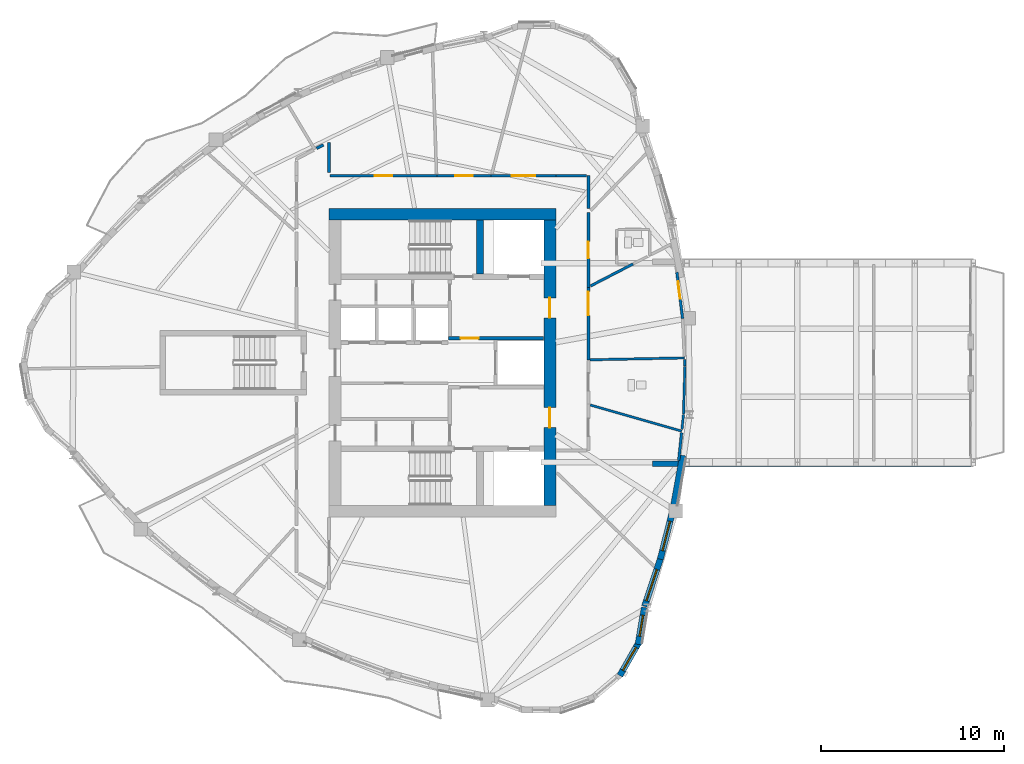
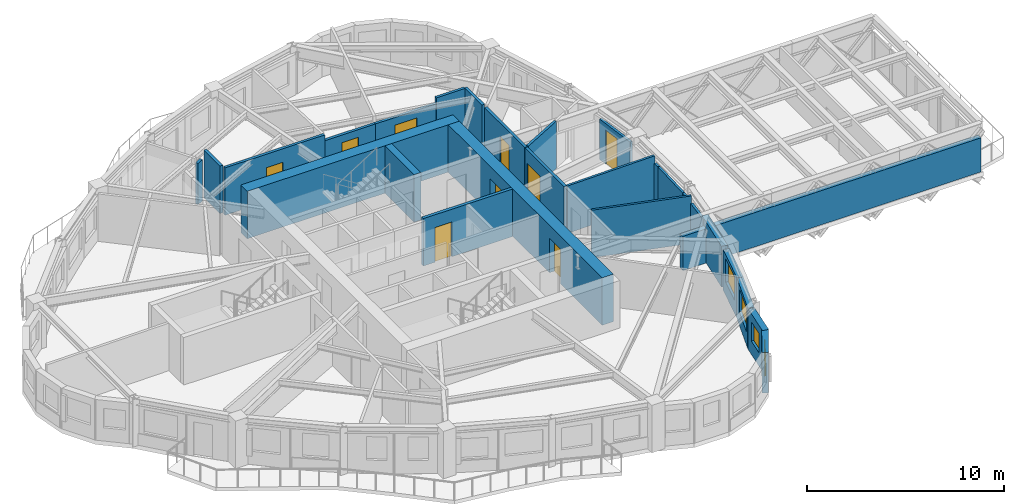
# One storey, part 7 of 13: 27 walls, 9 doors, 4 windows, 13 openings.
"""IFC4 building model written with IfcOpenShell, lengths in metres."""

import ifcopenshell
import ifcopenshell.guid

model = None  # the IFC model being written
_history = None  # IfcOwnerHistory: only IFC2X3 demands one
_inside = {}  # id of a spatial element -> (the spatial element, [elements in it])
_under = {}  # id of a project, library or spatial element -> (it, [spatial elements below it])
_declared = {}  # id of a project -> (the project, [libraries it declares])
_typed = {}  # id of a type object -> (the type object, [elements of that type])
_made_of = {}  # id of a material, layer set ... -> (it, [elements and type objects made of it])


def new_model(schema):
    """Start an empty IFC model of exactly this schema.

    Asked for "IFC4X3", IfcOpenShell would pick the latest addendum, in which some entities
    have other attributes; the version numbers below select the first issue.
    IFC2X3 requires an IfcOwnerHistory on every rooted entity: one is made here for all.
    """
    global model, _history
    if schema == "IFC4X3":
        model = ifcopenshell.file(schema_version=(4, 3, 0, 0))
    else:
        model = ifcopenshell.file(schema=schema)
    _inside.clear()
    _under.clear()
    _declared.clear()
    _typed.clear()
    _made_of.clear()
    _history = None
    if model.schema == "IFC2X3":
        org = make("IfcOrganization", Name="unknown")
        user = make(
            "IfcPersonAndOrganization",
            ThePerson=make("IfcPerson", FamilyName="unknown"),
            TheOrganization=org,
        )
        app = make(
            "IfcApplication",
            ApplicationDeveloper=org,
            Version="unknown",
            ApplicationFullName="unknown",
            ApplicationIdentifier="unknown",
        )
        _history = make(
            "IfcOwnerHistory",
            OwningUser=user,
            OwningApplication=app,
            ChangeAction="ADDED",
            CreationDate=0,
        )
    return model


def make(cls, **values):
    """One entity of the class cls with the attributes given. An attribute that is None is left unset."""
    return model.create_entity(
        cls, **{name: value for name, value in values.items() if value is not None}
    )


def rooted(cls, **values):
    """An entity with a GlobalId (a new one), such as an element, a storey or a relation."""
    return make(cls, GlobalId=ifcopenshell.guid.new(), OwnerHistory=_history, **values)


def si_unit(unit_type, name, prefix=None):
    """IfcSIUnit, for example si_unit("LENGTHUNIT", "METRE", prefix="MILLI")."""
    return make("IfcSIUnit", UnitType=unit_type, Prefix=prefix, Name=name)


def assignment(units):
    """IfcUnitAssignment: the units of a project."""
    return None if units is None else make("IfcUnitAssignment", Units=units)


def point(xyz):
    """IfcCartesianPoint."""
    return None if xyz is None else make("IfcCartesianPoint", Coordinates=xyz)


def direction(xyz):
    """IfcDirection."""
    return None if xyz is None else make("IfcDirection", DirectionRatios=xyz)


def frame(location, z_axis=None, x_axis=None):
    """IfcAxis2Placement3D, a coordinate frame: its origin and axes. An axis left out is left unset."""
    return make(
        "IfcAxis2Placement3D",
        Location=point(location),
        Axis=direction(z_axis),
        RefDirection=direction(x_axis),
    )


def frame_2d(location, x_axis=None):
    """IfcAxis2Placement2D, a coordinate frame in the plane: its origin and x axis."""
    return make(
        "IfcAxis2Placement2D", Location=point(location), RefDirection=direction(x_axis)
    )


def origin():
    """The frame at (0, 0, 0) with its axes left unset."""
    return frame((0.0, 0.0, 0.0))


def place(relative_to, where):
    """IfcLocalPlacement: puts the frame where relative to a parent placement (None: the world)."""
    return make(
        "IfcLocalPlacement", PlacementRelTo=relative_to, RelativePlacement=where
    )


def context(
    kind, dimensions, precision=None, world=None, true_north=None, identifier=None
):
    """IfcGeometricRepresentationContext, for example the 3D "Model" context."""
    return make(
        "IfcGeometricRepresentationContext",
        ContextIdentifier=identifier,
        ContextType=kind,
        CoordinateSpaceDimension=dimensions,
        Precision=precision,
        WorldCoordinateSystem=world,
        TrueNorth=true_north,
    )


def subcontext(parent, identifier, kind, view, scale=None):
    """IfcGeometricRepresentationSubContext, for example "Body" below "Model"."""
    return make(
        "IfcGeometricRepresentationSubContext",
        ContextIdentifier=identifier,
        ContextType=kind,
        ParentContext=parent,
        TargetScale=scale,
        TargetView=view,
    )


def project(units=None, contexts=None):
    """IfcProject with its units and contexts."""
    return rooted(
        "IfcProject",
        Name="project",
        RepresentationContexts=contexts,
        UnitsInContext=assignment(units),
    )


def spatial(cls, under=None, at=None, **own):
    """A site, building, storey or space (cls), placed at a placement, below another one or the project."""
    s = rooted(cls, ObjectPlacement=at, **own)
    if under is not None:
        _under.setdefault(under.id(), (under, []))[1].append(s)
    return s


def profile(cls, at=None, kind="AREA", **sizes):
    """A parametric profile (cls). Its sizes go by their IFC names, for example OverallWidth=200.0."""
    return make(cls, ProfileType=kind, Position=at, **sizes)


def rectangle(**sizes):
    """IfcRectangleProfileDef."""
    return profile("IfcRectangleProfileDef", **sizes)


def extrude(swept, where, along, depth):
    """IfcExtrudedAreaSolid: the profile swept, set in the frame where, extruded along a direction by depth."""
    return make(
        "IfcExtrudedAreaSolid",
        SweptArea=swept,
        Position=where,
        ExtrudedDirection=direction(along),
        Depth=depth,
    )


def shape(context_of_items, identifier, shape_type, items):
    """IfcShapeRepresentation: the items that make up one representation, for example the "Body"."""
    return make(
        "IfcShapeRepresentation",
        ContextOfItems=context_of_items,
        RepresentationIdentifier=identifier,
        RepresentationType=shape_type,
        Items=items,
    )


def source(mapping_origin, context_of_items, identifier, shape_type, items):
    """IfcRepresentationMap: a shape defined once, which mapped items show again and again."""
    return make(
        "IfcRepresentationMap",
        MappingOrigin=mapping_origin,
        MappedRepresentation=shape(context_of_items, identifier, shape_type, items),
    )


def transform(
    local_origin,
    x_axis=None,
    y_axis=None,
    z_axis=None,
    scale=None,
    scale2=None,
    scale3=None,
    uniform=True,
):
    """IfcCartesianTransformationOperator3D, or its non-uniform kind. x_axis, y_axis, z_axis: its Axis1, 2, 3."""
    if uniform:
        return make(
            "IfcCartesianTransformationOperator3D",
            Axis1=direction(x_axis),
            Axis2=direction(y_axis),
            LocalOrigin=point(local_origin),
            Scale=scale,
            Axis3=direction(z_axis),
        )
    return make(
        "IfcCartesianTransformationOperator3DnonUniform",
        Axis1=direction(x_axis),
        Axis2=direction(y_axis),
        LocalOrigin=point(local_origin),
        Scale=scale,
        Axis3=direction(z_axis),
        Scale2=scale2,
        Scale3=scale3,
    )


def mapped(mapping_source, mapping_target):
    """IfcMappedItem: shows the shape of a source again, moved by a transform."""
    return make(
        "IfcMappedItem", MappingSource=mapping_source, MappingTarget=mapping_target
    )


def material(Name=None, Category=None):
    """IfcMaterial."""
    return make("IfcMaterial", Name=Name, Category=Category)


def layer(
    of_material, thickness, ventilated=None, Name=None, Category=None, Priority=None
):
    """IfcMaterialLayer: one layer of a wall or slab, of a material (None: an air gap)."""
    return make(
        "IfcMaterialLayer",
        Material=of_material,
        LayerThickness=thickness,
        IsVentilated=ventilated,
        Name=Name,
        Category=Category,
        Priority=Priority,
    )


def layer_set(layers, Name=None):
    """IfcMaterialLayerSet."""
    return make("IfcMaterialLayerSet", MaterialLayers=layers, LayerSetName=Name)


def made_of(thing, what):
    """Note that an element or type object is made of a material, layer set ...; save() writes the relation."""
    if what is not None:
        _made_of.setdefault(what.id(), (what, []))[1].append(thing)
    return thing


def type_object(cls, material=None, **own):
    """A type object (cls), such as IfcWallType, which elements share."""
    return made_of(rooted(cls, **own), material)


def element(
    cls,
    number,
    at=None,
    inside=None,
    cuts=None,
    type_object=None,
    material=None,
    context=None,
    identifier="Body",
    shape_type=None,
    held_by="IfcProductDefinitionShape",
    body=None,
    shapes=None,
    **own,
):
    """One element of the class cls, such as IfcWall. Its Tag is "e" and its number.

    at: its placement. inside: the storey or other place that contains it. cuts: it is an
    opening in that element (IfcRelVoidsElement). A single representation is given by context,
    identifier, shape_type and body (its items); several are given by shapes. held_by: the class
    of the entity that holds the representations. save() writes the other relations.
    """
    e = rooted(cls, Tag="e%d" % number, ObjectPlacement=at, **own)
    if body is not None:
        shapes = [shape(context, identifier, shape_type, body)]
    if shapes is not None:
        e.Representation = make(held_by, Representations=shapes)
    if inside is not None:
        _inside.setdefault(inside.id(), (inside, []))[1].append(e)
    if cuts is not None:
        rooted(
            "IfcRelVoidsElement", RelatingBuildingElement=cuts, RelatedOpeningElement=e
        )
    if type_object is not None:
        _typed.setdefault(type_object.id(), (type_object, []))[1].append(e)
    return made_of(e, material)


def fill(opening, filler):
    """IfcRelFillsElement: the door or window that sits in an opening."""
    return rooted(
        "IfcRelFillsElement",
        RelatingOpeningElement=opening,
        RelatedBuildingElement=filler,
    )


def aggregate(whole, parts):
    """IfcRelAggregates: a whole, such as a stair, and the parts it consists of."""
    return rooted("IfcRelAggregates", RelatingObject=whole, RelatedObjects=parts)


def save(model, path):
    """Write the relations noted so far, then the file.

    IfcRelAggregates (storeys below a building ...), IfcRelContainedInSpatialStructure (elements
    in a storey), IfcRelDefinesByType, IfcRelAssociatesMaterial and IfcRelDeclares: one each for
    every whole, place, type object, material and project.
    """
    for whole, parts in _under.values():
        aggregate(whole, parts)
    for where, things in _inside.values():
        rooted(
            "IfcRelContainedInSpatialStructure",
            RelatedElements=things,
            RelatingStructure=where,
        )
    for kind, things in _typed.values():
        rooted("IfcRelDefinesByType", RelatedObjects=things, RelatingType=kind)
    for what, things in _made_of.values():
        rooted("IfcRelAssociatesMaterial", RelatedObjects=things, RelatingMaterial=what)
    for by, libraries in _declared.values():
        rooted("IfcRelDeclares", RelatingContext=by, RelatedDefinitions=libraries)
    model.write(path)


model = new_model("IFC4")

# Units and contexts
model_context = context("Model", 3, precision=1e-05, world=origin(), true_north=direction((0.0, 1.0)))
body_context = subcontext(model_context, "Body", "Model", "MODEL_VIEW")
ifc_project = project(units=[si_unit("LENGTHUNIT", "METRE"), si_unit("AREAUNIT", "SQUARE_METRE"), si_unit("VOLUMEUNIT", "CUBIC_METRE"), si_unit("PLANEANGLEUNIT", "RADIAN"), si_unit("MASSUNIT", "GRAM", prefix="KILO")], contexts=[model_context])

# Site, building, storey
site_placement = place(None, origin())
site = spatial("IfcSite", under=ifc_project, at=site_placement, CompositionType="ELEMENT")
building_placement = place(site_placement, origin())
building = spatial("IfcBuilding", under=site, at=building_placement, Name="Qafzar Sky-Pleat Residences", CompositionType="ELEMENT")
storey_placement = place(building_placement, frame((0.0, 0.0, 155.39990234375)))
storey = spatial("IfcBuildingStorey", under=building, at=storey_placement, Name="L46", CompositionType="ELEMENT", Elevation=155.39990234375)

# Wall, opening, door
ifc_material_1 = material(Name="Acoustic gypsum plasterboard partition", Category="gypsum")
ifc_layer_1 = layer(ifc_material_1, 0.159912109375)
ifc_layer_set_1 = layer_set([ifc_layer_1], Name="Acoustic gypsum plasterboard partition")
wall_type_1 = type_object("IfcWallType", Name="PART-COR-160", PredefinedType="PARTITIONING", material=ifc_layer_set_1)
wall_1_placement = place(storey_placement, frame((24.2080078125, 36.22998046875, 0.0), z_axis=(0.0, 0.0, 1.0), x_axis=(1.0, 0.0, 0.0)))
wall_1 = element("IfcWall", 1, at=wall_1_placement, inside=storey, type_object=wall_type_1, Name="L46 Partition Wall PART-L46-PW-002", PredefinedType="PARTITIONING", context=body_context, shape_type="SweptSolid", body=[
    extrude(rectangle(XDim=5.83203125, YDim=0.159912109375, at=frame_2d((2.916015625, 0.0))), origin(), (0.0, 0.0, 1.0), 2.93505859375),
])
opening_1_placement = place(wall_1_placement, frame((2.4375, 0.0, 0.0)))
opening_1 = element("IfcOpeningElement", 2, at=opening_1_placement, cuts=wall_1, Name="Opening ID-06", PredefinedType="OPENING", context=body_context, shape_type="SweptSolid", body=[
    extrude(rectangle(XDim=0.9599609375, YDim=2.10009765625, at=frame_2d((0.47998046875, 1.050048828125))), frame((0.0, 0.08984375, 0.0), z_axis=(0.0, -1.0, 0.0), x_axis=(1.0, 0.0, 0.0)), (0.0, 0.0, 1.0), 0.179931640625),
])
ifc_material_2 = material(Name="Timber-faced fire door", Category="wood")
door_type_1 = type_object("IfcDoorType", Name="DR-STD-960", OperationType="NOTDEFINED", PredefinedType="DOOR", material=ifc_material_2)
shared_shape_1 = source(origin(), body_context, "Body", "SweptSolid", [
    extrude(rectangle(XDim=0.9599609375, YDim=2.10009765625, at=frame_2d((0.47998046875, 1.050048828125))), frame((0.0, 0.02490234375, 0.0), z_axis=(0.0, -1.0, 0.0), x_axis=(1.0, 0.0, 0.0)), (0.0, 0.0, 1.0), 0.050048828125),
])
door_1_placement = place(opening_1_placement, origin())
door_1 = element("IfcDoor", 3, at=door_1_placement, inside=storey, type_object=door_type_1, Name="L46 Faculty Research Office Door", OperationType="SINGLE_SWING_RIGHT", OverallHeight=2.10009765625, OverallWidth=0.9599609375, PredefinedType="DOOR", context=body_context, shape_type="MappedRepresentation", body=[
    mapped(shared_shape_1, transform((0.0, 0.0, 0.0), x_axis=(1.0, 0.0, 0.0), y_axis=(0.0, 1.0, 0.0), z_axis=(0.0, 0.0, 1.0), scale=1.0)),
])
fill(opening_1, door_1)

wall_2_placement = place(storey_placement, frame((38.330078125, 34.214111328125, 0.0), z_axis=(0.0, 0.0, 1.0), x_axis=(0.0, -1.0, 0.0)))
wall_2 = element("IfcWall", 4, at=wall_2_placement, inside=storey, type_object=wall_type_1, Name="L46 Partition Wall PART-L46-PW-005", PredefinedType="PARTITIONING", context=body_context, shape_type="SweptSolid", body=[
    extrude(rectangle(XDim=4.093017578125, YDim=0.159912109375, at=frame_2d((2.04638671875, 0.0))), origin(), (0.0, 0.0, 1.0), 2.93505859375),
])
opening_2_placement = place(wall_2_placement, frame((1.589111328125, 0.0, 0.0)))
opening_2 = element("IfcOpeningElement", 5, at=opening_2_placement, cuts=wall_2, Name="Opening ID-04", PredefinedType="OPENING", context=body_context, shape_type="SweptSolid", body=[
    extrude(rectangle(XDim=0.919921875, YDim=2.10009765625, at=frame_2d((0.4599609375, 1.050048828125))), frame((0.0, 0.08984375, 0.0), z_axis=(0.0, -1.0, 0.0), x_axis=(1.0, 0.0, 0.0)), (0.0, 0.0, 1.0), 0.179931640625),
])
door_type_2 = type_object("IfcDoorType", Name="DR-BED-920", OperationType="NOTDEFINED", PredefinedType="DOOR", material=ifc_material_2)
shared_shape_2 = source(origin(), body_context, "Body", "SweptSolid", [
    extrude(rectangle(XDim=0.919921875, YDim=2.10009765625, at=frame_2d((0.4599609375, 1.050048828125))), frame((0.0, 0.02490234375, 0.0), z_axis=(0.0, -1.0, 0.0), x_axis=(1.0, 0.0, 0.0)), (0.0, 0.0, 1.0), 0.050048828125),
])
door_2_placement = place(opening_2_placement, origin())
door_2 = element("IfcDoor", 6, at=door_2_placement, inside=storey, type_object=door_type_2, Name="L46 Co-Living Bedroom 1 Door", OperationType="SINGLE_SWING_RIGHT", OverallHeight=2.10009765625, OverallWidth=0.919921875, PredefinedType="DOOR", context=body_context, shape_type="MappedRepresentation", body=[
    mapped(shared_shape_2, transform((0.0, 0.0, 0.0), x_axis=(1.0, 0.0, 0.0), y_axis=(0.0, 1.0, 0.0), z_axis=(0.0, 0.0, 1.0), scale=1.0)),
])
fill(opening_2, door_2)

wall_3_placement = place(storey_placement, frame((38.330078125, 30.10595703125, 0.0), z_axis=(0.0, 0.0, 1.0), x_axis=(0.0, -1.0, 0.0)))
wall_3 = element("IfcWall", 7, at=wall_3_placement, inside=storey, type_object=wall_type_1, Name="L46 Partition Wall PART-L46-PW-006", PredefinedType="PARTITIONING", context=body_context, shape_type="SweptSolid", body=[
    extrude(rectangle(XDim=3.9619140625, YDim=0.159912109375, at=frame_2d((1.98095703125, 0.0))), origin(), (0.0, 0.0, 1.0), 2.93505859375),
])
opening_3_placement = place(wall_3_placement, frame((0.219970703125, 0.0, 0.0)))
opening_3 = element("IfcOpeningElement", 8, at=opening_3_placement, cuts=wall_3, Name="Opening ID-05", PredefinedType="OPENING", context=body_context, shape_type="SweptSolid", body=[
    extrude(rectangle(XDim=1.300048828125, YDim=2.10009765625, at=frame_2d((0.64990234375, 1.050048828125))), frame((0.0, 0.08984375, 0.0), z_axis=(0.0, -1.0, 0.0), x_axis=(1.0, 0.0, 0.0)), (0.0, 0.0, 1.0), 0.179931640625),
])
door_type_3 = type_object("IfcDoorType", Name="DR-LNG-1300", OperationType="DOUBLE_DOOR_SINGLE_SWING", PredefinedType="DOOR", material=ifc_material_2)
shared_shape_3 = source(origin(), body_context, "Body", "SweptSolid", [
    extrude(rectangle(XDim=1.300048828125, YDim=2.10009765625, at=frame_2d((0.64990234375, 1.050048828125))), frame((0.0, 0.02490234375, 0.0), z_axis=(0.0, -1.0, 0.0), x_axis=(1.0, 0.0, 0.0)), (0.0, 0.0, 1.0), 0.050048828125),
])
door_3_placement = place(opening_3_placement, origin())
door_3 = element("IfcDoor", 9, at=door_3_placement, inside=storey, type_object=door_type_3, Name="L46 Co-Living Lounge Door", OperationType="DOUBLE_DOOR_SINGLE_SWING", OverallHeight=2.10009765625, OverallWidth=1.300048828125, PredefinedType="DOOR", context=body_context, shape_type="MappedRepresentation", body=[
    mapped(shared_shape_3, transform((0.0, 0.0, 0.0), x_axis=(1.0, 0.0, 0.0), y_axis=(0.0, 1.0, 0.0), z_axis=(0.0, 0.0, 1.0), scale=1.0)),
])
fill(opening_3, door_3)

wall_4_placement = place(storey_placement, frame((33.008056640625, 36.22998046875, 0.0), z_axis=(0.0, 0.0, 1.0), x_axis=(1.0, 0.0, 0.0)))
wall_4 = element("IfcWall", 10, at=wall_4_placement, inside=storey, type_object=wall_type_1, Name="L46 Partition Wall PART-L46-PW-008", PredefinedType="PARTITIONING", context=body_context, shape_type="SweptSolid", body=[
    extrude(rectangle(XDim=3.5419921875, YDim=0.159912109375, at=frame_2d((1.77099609375, 0.0))), origin(), (0.0, 0.0, 1.0), 2.572998046875),
])
opening_4_placement = place(wall_4_placement, frame((1.12890625, 0.0, 0.0)))
opening_4 = element("IfcOpeningElement", 11, at=opening_4_placement, cuts=wall_4, Name="Opening ID-05", PredefinedType="OPENING", context=body_context, shape_type="SweptSolid", body=[
    extrude(rectangle(XDim=1.300048828125, YDim=2.10009765625, at=frame_2d((0.64990234375, 1.050048828125))), frame((0.0, 0.08984375, 0.0), z_axis=(0.0, -1.0, 0.0), x_axis=(1.0, 0.0, 0.0)), (0.0, 0.0, 1.0), 0.179931640625),
])
door_4_placement = place(opening_4_placement, origin())
door_4 = element("IfcDoor", 12, at=door_4_placement, inside=storey, type_object=door_type_3, Name="L46 Graduate Lecture Room Door", OperationType="DOUBLE_DOOR_SINGLE_SWING", OverallHeight=2.10009765625, OverallWidth=1.300048828125, PredefinedType="DOOR", context=body_context, shape_type="MappedRepresentation", body=[
    mapped(shared_shape_3, transform((0.0, 0.0, 0.0), x_axis=(1.0, 0.0, 0.0), y_axis=(0.0, 1.0, 0.0), z_axis=(0.0, 0.0, 1.0), scale=1.0)),
])
fill(opening_4, door_4)

wall_5_placement = place(storey_placement, frame((30.054931640625, 36.22998046875, 0.0), z_axis=(0.0, 0.0, 1.0), x_axis=(1.0, 0.0, 0.0)))
wall_5 = element("IfcWall", 13, at=wall_5_placement, inside=storey, type_object=wall_type_1, Name="L46 Partition Wall PART-L46-PW-009", PredefinedType="PARTITIONING", context=body_context, shape_type="SweptSolid", body=[
    extrude(rectangle(XDim=2.93798828125, YDim=0.159912109375, at=frame_2d((1.468994140625, 0.0))), origin(), (0.0, 0.0, 1.0), 2.572998046875),
])
opening_5_placement = place(wall_5_placement, frame((0.989501953125, 0.0, 0.0)))
opening_5 = element("IfcOpeningElement", 14, at=opening_5_placement, cuts=wall_5, Name="Opening ID-06", PredefinedType="OPENING", context=body_context, shape_type="SweptSolid", body=[
    extrude(rectangle(XDim=0.9599609375, YDim=2.10009765625, at=frame_2d((0.47998046875, 1.050048828125))), frame((0.0, 0.08984375, 0.0), z_axis=(0.0, -1.0, 0.0), x_axis=(1.0, 0.0, 0.0)), (0.0, 0.0, 1.0), 0.179931640625),
])
door_5_placement = place(opening_5_placement, origin())
door_5 = element("IfcDoor", 15, at=door_5_placement, inside=storey, type_object=door_type_1, Name="L46 Wellness Yoga Studio Door", OperationType="SINGLE_SWING_LEFT", OverallHeight=2.10009765625, OverallWidth=0.9599609375, PredefinedType="DOOR", context=body_context, shape_type="MappedRepresentation", body=[
    mapped(shared_shape_1, transform((0.0, 0.0, 0.0), x_axis=(1.0, 0.0, 0.0), y_axis=(0.0, 1.0, 0.0), z_axis=(0.0, 0.0, 1.0), scale=1.0)),
])
fill(opening_5, door_5)

# Walls
wall_6_placement = place(storey_placement, frame((38.330078125, 34.449951171875, 0.0), z_axis=(0.0, 0.0, 1.0), x_axis=(0.0, 1.0, 0.0)))
element("IfcWall", 16, at=wall_6_placement, inside=storey, type_object=wall_type_1, Name="L46 Partition Wall PART-L46-PW-033", PredefinedType="PARTITIONING", context=body_context, shape_type="SweptSolid", body=[
    extrude(rectangle(XDim=1.780029296875, YDim=0.159912109375, at=frame_2d((0.89013671875, 0.0))), origin(), (0.0, 0.0, 1.0), 2.93505859375),
])
wall_7_placement = place(storey_placement, frame((36.56494140625, 36.22998046875, 0.0), z_axis=(0.0, 0.0, 1.0), x_axis=(1.0, 0.0, 0.0)))
element("IfcWall", 17, at=wall_7_placement, inside=storey, type_object=wall_type_1, Name="L46 Partition Wall PART-L46-PW-035", PredefinedType="PARTITIONING", context=body_context, shape_type="SweptSolid", body=[
    extrude(rectangle(XDim=1.677001953125, YDim=0.159912109375, at=frame_2d((0.83837890625, 0.0))), origin(), (0.0, 0.0, 1.0), 2.93505859375),
])
wall_8_placement = place(storey_placement, frame((24.14990234375, 36.4150390625, 0.0), z_axis=(0.0, 0.0, 1.0), x_axis=(0.0, 1.0, 0.0)))
element("IfcWall", 18, at=wall_8_placement, inside=storey, type_object=wall_type_1, Name="L46 Partition Wall PART-L46-PW-036", PredefinedType="PARTITIONING", context=body_context, shape_type="SweptSolid", body=[
    extrude(rectangle(XDim=1.640869140625, YDim=0.159912109375, at=frame_2d((0.8203125, 0.0))), origin(), (0.0, 0.0, 1.0), 2.93505859375),
])
wall_9_placement = place(storey_placement, frame((23.46533203125, 37.723876953125, 0.0), z_axis=(0.0, 0.0, 1.0), x_axis=(0.884344349775, 0.466835164722, 0.0)))
element("IfcWall", 19, at=wall_9_placement, inside=storey, type_object=wall_type_1, Name="L46 Partition Wall PART-L46-PW-046", PredefinedType="PARTITIONING", context=body_context, shape_type="SweptSolid", body=[
    extrude(rectangle(XDim=0.415771484375, YDim=0.159912109375, at=frame_2d((0.2080078125, 0.0))), origin(), (0.0, 0.0, 1.0), 2.543212890625),
])

# Wall, opening, door
ifc_material_3 = material(Name="Concrete blockwork partition", Category="masonry")
ifc_layer_2 = layer(ifc_material_3, 0.179931640625)
ifc_layer_set_2 = layer_set([ifc_layer_2], Name="Concrete blockwork partition")
wall_type_2 = type_object("IfcWallType", Name="PART-SHAFT-180", PredefinedType="PARTITIONING", material=ifc_layer_set_2)
wall_10_placement = place(storey_placement, frame((30.669921875, 27.340087890625, 0.0), z_axis=(0.0, 0.0, 1.0), x_axis=(1.0, 0.0, 0.0)))
wall_10 = element("IfcWall", 20, at=wall_10_placement, inside=storey, type_object=wall_type_2, Name="L46 Partition Wall PART-L46-FFL2-S", PredefinedType="PARTITIONING", context=body_context, shape_type="SweptSolid", body=[
    extrude(rectangle(XDim=5.219970703125, YDim=0.179931640625, at=frame_2d((2.60986328125, 0.0))), origin(), (0.0, 0.0, 1.0), 2.93505859375),
])
opening_6_placement = place(wall_10_placement, frame((0.679931640625, 0.0, 0.0)))
opening_6 = element("IfcOpeningElement", 21, at=opening_6_placement, cuts=wall_10, Name="Opening ID-01", PredefinedType="OPENING", context=body_context, shape_type="SweptSolid", body=[
    extrude(rectangle(XDim=0.97998046875, YDim=2.14990234375, at=frame_2d((0.489990234375, 1.074951171875))), frame((0.0, 0.10009765625, 0.0), z_axis=(0.0, -1.0, 0.0), x_axis=(1.0, 0.0, 0.0)), (0.0, 0.0, 1.0), 0.199951171875),
])
door_type_4 = type_object("IfcDoorType", Name="DR-STAIR-980", OperationType="NOTDEFINED", PredefinedType="DOOR", material=ifc_material_2)
shared_shape_4 = source(origin(), body_context, "Body", "SweptSolid", [
    extrude(rectangle(XDim=0.97998046875, YDim=2.14990234375, at=frame_2d((0.489990234375, 1.074951171875))), frame((0.0, 0.02490234375, 0.0), z_axis=(0.0, -1.0, 0.0), x_axis=(1.0, 0.0, 0.0)), (0.0, 0.0, 1.0), 0.050048828125),
])
door_6_placement = place(opening_6_placement, origin())
door_6 = element("IfcDoor", 22, at=door_6_placement, inside=storey, type_object=door_type_4, Name="L46 Lift Lobby to North Firefighting Lobby Door", OperationType="SINGLE_SWING_RIGHT", OverallHeight=2.14990234375, OverallWidth=0.97998046875, PredefinedType="DOOR", context=body_context, shape_type="MappedRepresentation", body=[
    mapped(shared_shape_4, transform((0.0, 0.0, 0.0), x_axis=(1.0, 0.0, 0.0), y_axis=(0.0, 1.0, 0.0), z_axis=(0.0, 0.0, 1.0), scale=1.0)),
])
fill(opening_6, door_6)

ifc_layer_3 = layer(ifc_material_1, 0.14501953125)
ifc_layer_set_3 = layer_set([ifc_layer_3], Name="Acoustic gypsum plasterboard partition")
wall_type_3 = type_object("IfcWallType", Name="PART-UNIT-145", PredefinedType="PARTITIONING", material=ifc_layer_set_3)
wall_11_placement = place(storey_placement, frame((43.172119140625, 30.951171875, 0.0), z_axis=(0.0, 0.0, 1.0), x_axis=(0.122990311665, -0.99240787141, 0.0)))
wall_11 = element("IfcWall", 23, at=wall_11_placement, inside=storey, type_object=wall_type_3, Name="L46 Partition Wall PART-L46-PW-010", PredefinedType="PARTITIONING", context=body_context, shape_type="SweptSolid", body=[
    extrude(rectangle(XDim=2.560791015625, YDim=0.14501953125, at=frame_2d((1.2802734375, 0.0))), origin(), (0.0, 0.0, 1.0), 2.503173828125),
])
opening_7_placement = place(wall_11_placement, frame((0.51025390625, 0.0, 0.0)))
opening_7 = element("IfcOpeningElement", 24, at=opening_7_placement, cuts=wall_11, Name="Opening ID-06", PredefinedType="OPENING", context=body_context, shape_type="SweptSolid", body=[
    extrude(rectangle(XDim=0.9599609375, YDim=2.10009765625, at=frame_2d((0.47998046875, 1.050048828125))), frame((0.0, 0.08251953125, 0.0), z_axis=(0.0, -1.0, 0.0), x_axis=(1.0, 0.0, 0.0)), (0.0, 0.0, 1.0), 0.1650390625),
])
door_7_placement = place(opening_7_placement, origin())
door_7 = element("IfcDoor", 25, at=door_7_placement, inside=storey, type_object=door_type_1, Name="L46 Sky-Bar Reading Library Door", OperationType="SINGLE_SWING_RIGHT", OverallHeight=2.10009765625, OverallWidth=0.9599609375, PredefinedType="DOOR", context=body_context, shape_type="MappedRepresentation", body=[
    mapped(shared_shape_1, transform((0.0, 0.0, 0.0), x_axis=(1.0, 0.0, 0.0), y_axis=(0.0, 1.0, 0.0), z_axis=(0.0, 0.0, 1.0), scale=1.0)),
])
fill(opening_7, door_7)

# Walls
wall_12_placement = place(storey_placement, frame((38.450439453125, 30.200439453125, 0.0), z_axis=(0.0, 0.0, 1.0), x_axis=(0.887788385545, 0.460251868537, 0.0)))
element("IfcWall", 26, at=wall_12_placement, inside=storey, type_object=wall_type_3, Name="L46 Partition Wall PART-L46-PW-027", PredefinedType="PARTITIONING", context=body_context, shape_type="SweptSolid", body=[
    extrude(rectangle(XDim=2.619384765625, YDim=0.14501953125, at=frame_2d((1.3095703125, 0.0))), origin(), (0.0, 0.0, 1.0), 2.93505859375),
])
wall_13_placement = place(storey_placement, frame((43.272705078125, 20.6455078125, 0.0), z_axis=(0.0, 0.0, 1.0), x_axis=(0.103045636414, 0.99467662927, 0.0)))
element("IfcWall", 27, at=wall_13_placement, inside=storey, type_object=wall_type_3, Name="L46 Partition Wall PART-L46-PW-037", PredefinedType="PARTITIONING", context=body_context, shape_type="SweptSolid", body=[
    extrude(rectangle(XDim=1.53515625, YDim=0.14501953125, at=frame_2d((0.767578125, 0.0))), origin(), (0.0, 0.0, 1.0), 2.503173828125),
])
ifc_material_4 = material(Name="Moisture-resistant gypsum partition", Category="gypsum")
ifc_layer_4 = layer(ifc_material_4, 0.1298828125)
ifc_layer_set_4 = layer_set([ifc_layer_4], Name="Moisture-resistant gypsum partition")
wall_type_4 = type_object("IfcWallType", Name="PART-WET-130", PredefinedType="PARTITIONING", material=ifc_layer_set_4)
wall_14_placement = place(storey_placement, frame((38.435546875, 23.688720703125, 0.0), z_axis=(0.0, 0.0, 1.0), x_axis=(0.961531027854, -0.274696345942, 0.0)))
element("IfcWall", 28, at=wall_14_placement, inside=storey, type_object=wall_type_4, Name="L46 Partition Wall PART-L46-PW-022", PredefinedType="PARTITIONING", context=body_context, shape_type="SweptSolid", body=[
    extrude(rectangle(XDim=5.20458984375, YDim=0.1298828125, at=frame_2d((2.602294921875, 0.0))), origin(), (0.0, 0.0, 1.0), 2.93505859375),
])
wall_15_placement = place(storey_placement, frame((38.419189453125, 26.160888671875, 0.0), z_axis=(0.0, 0.0, 1.0), x_axis=(0.999801492135, 0.019924264719, 0.0)))
element("IfcWall", 29, at=wall_15_placement, inside=storey, type_object=wall_type_4, Name="L46 Partition Wall PART-L46-PW-023", PredefinedType="PARTITIONING", context=body_context, shape_type="SweptSolid", body=[
    extrude(rectangle(XDim=5.1708984375, YDim=0.1298828125, at=frame_2d((2.58544921875, 0.0))), origin(), (0.0, 0.0, 1.0), 2.93505859375),
])
wall_16_placement = place(storey_placement, frame((43.537109375, 23.18994140625, 0.0), z_axis=(0.0, 0.0, 1.0), x_axis=(0.028319632762, 0.999598918767, 0.0)))
element("IfcWall", 30, at=wall_16_placement, inside=storey, type_object=wall_type_4, Name="L46 Partition Wall PART-L46-PW-028", PredefinedType="PARTITIONING", context=body_context, shape_type="SweptSolid", body=[
    extrude(rectangle(XDim=2.612060546875, YDim=0.1298828125, at=frame_2d((1.30615234375, 0.0))), origin(), (0.0, 0.0, 1.0), 2.503173828125),
])
wall_17_placement = place(storey_placement, frame((43.450439453125, 22.35888671875, 0.0), z_axis=(0.0, 0.0, 1.0), x_axis=(0.103538633142, 0.994625432737, 0.0)))
element("IfcWall", 31, at=wall_17_placement, inside=storey, type_object=wall_type_4, Name="L46 Partition Wall PART-L46-PW-043", PredefinedType="PARTITIONING", context=body_context, shape_type="SweptSolid", body=[
    extrude(rectangle(XDim=0.820556640625, YDim=0.1298828125, at=frame_2d((0.41015625, 0.0))), origin(), (0.0, 0.0, 1.0), 2.503173828125),
])
wall_18_placement = place(storey_placement, frame((43.59326171875, 26.17431640625, 0.0), z_axis=(0.0, 0.0, 1.0), x_axis=(0.04762980516, -0.998865056782, 0.0)))
element("IfcWall", 32, at=wall_18_placement, inside=storey, type_object=wall_type_4, Name="L46 Partition Wall PART-L46-PW-047", PredefinedType="PARTITIONING", context=body_context, shape_type="SweptSolid", body=[
    extrude(rectangle(XDim=0.35888671875, YDim=0.1298828125, at=frame_2d((0.179443359375, 0.0))), origin(), (0.0, 0.0, 1.0), 2.503173828125),
])
ifc_material_5 = material(Name="Precast concrete C40/50 with honed Riyadh limestone", Category="concrete")
ifc_layer_5 = layer(ifc_material_5, 0.300048828125)
ifc_layer_set_5 = layer_set([ifc_layer_5], Name="Precast concrete C40/50 with honed Riyadh limestone")
wall_type_5 = type_object("IfcWallType", Name="WALL-EXT-300", PredefinedType="SOLIDWALL", material=ifc_layer_set_5)
wall_19_placement = place(storey_placement, frame((41.85009765625, 20.47998046875, 0.0), z_axis=(0.0, 0.0, 1.0), x_axis=(1.0, 0.0, 0.0)))
element("IfcWall", 33, at=wall_19_placement, inside=storey, type_object=wall_type_5, Name="L46 SB-4 Side Spandrel Wall R", PredefinedType="SOLIDWALL", context=body_context, shape_type="SweptSolid", body=[
    extrude(rectangle(XDim=17.422607421875, YDim=0.300048828125, at=frame_2d((8.71142578125, 0.0))), origin(), (0.0, 0.0, 1.0), 2.114990234375),
])

# Wall, opening, window
ifc_layer_6 = layer(ifc_material_5, 0.340087890625)
ifc_layer_set_6 = layer_set([ifc_layer_6], Name="Precast concrete C40/50 with honed Riyadh limestone")
wall_type_6 = type_object("IfcWallType", Name="WALL-EXT-340", PredefinedType="SOLIDWALL", material=ifc_layer_set_6)
wall_20_placement = place(storey_placement, frame((40.054443359375, 8.886474609375, 0.0), z_axis=(0.0, 0.0, 1.0), x_axis=(0.495852152567, 0.868406956901, 0.0)))
wall_20 = element("IfcWall", 34, at=wall_20_placement, inside=storey, type_object=wall_type_6, Name="L46 Limestone Facade Wall 21", PredefinedType="SOLIDWALL", context=body_context, shape_type="SweptSolid", body=[
    extrude(rectangle(XDim=2.10888671875, YDim=0.340087890625, at=frame_2d((1.054443359375, 0.0))), origin(), (0.0, 0.0, 1.0), 2.51513671875),
])
opening_8_placement = place(wall_20_placement, frame((0.329345703125, 0.0, 0.820068359375)))
opening_8 = element("IfcOpeningElement", 35, at=opening_8_placement, cuts=wall_20, Name="Opening WN-15", PredefinedType="OPENING", context=body_context, shape_type="SweptSolid", body=[
    extrude(rectangle(XDim=1.449951171875, YDim=1.25, at=frame_2d((0.72509765625, 0.625))), frame((0.0, 0.18017578125, 0.0), z_axis=(0.0, -1.0, 0.0), x_axis=(1.0, 0.0, 0.0)), (0.0, 0.0, 1.0), 0.360107421875),
])
ifc_material_6 = material(Name="Solar-control low-E glass in bronze aluminium frame", Category="glass")
window_type_1 = type_object("IfcWindowType", Name="WIN-15", PartitioningType="SINGLE_PANEL", PredefinedType="WINDOW", material=ifc_material_6)
shared_shape_5 = source(origin(), body_context, "Body", "SweptSolid", [
    extrude(rectangle(XDim=1.449951171875, YDim=1.25, at=frame_2d((0.72509765625, 0.625))), frame((0.0, 0.030029296875, 0.0), z_axis=(0.0, -1.0, 0.0), x_axis=(1.0, 0.0, 0.0)), (0.0, 0.0, 1.0), 0.06005859375),
])
window_1_placement = place(opening_8_placement, origin())
window_1 = element("IfcWindow", 36, at=window_1_placement, inside=storey, type_object=window_type_1, Name="L46 Punched Facade Window 21", OverallHeight=1.25, OverallWidth=1.449951171875, PartitioningType="SINGLE_PANEL", PredefinedType="WINDOW", context=body_context, shape_type="MappedRepresentation", body=[
    mapped(shared_shape_5, transform((0.0, 0.0, 0.0), x_axis=(1.0, 0.0, 0.0), y_axis=(0.0, 1.0, 0.0), z_axis=(0.0, 0.0, 1.0), scale=1.0)),
])
fill(opening_8, window_1)

wall_21_placement = place(storey_placement, frame((41.054931640625, 10.591064453125, 0.0), z_axis=(0.0, 0.0, 1.0), x_axis=(0.165731018204, 0.9861709941, 0.0)))
wall_21 = element("IfcWall", 37, at=wall_21_placement, inside=storey, type_object=wall_type_6, Name="L46 Limestone Facade Wall 22", PredefinedType="SOLIDWALL", context=body_context, shape_type="SweptSolid", body=[
    extrude(rectangle(XDim=2.050537109375, YDim=0.340087890625, at=frame_2d((1.025390625, 0.0))), origin(), (0.0, 0.0, 1.0), 2.51513671875),
])
opening_9_placement = place(wall_21_placement, frame((0.460205078125, 0.0, 0.820068359375)))
opening_9 = element("IfcOpeningElement", 38, at=opening_9_placement, cuts=wall_21, Name="Opening WN-16", PredefinedType="OPENING", context=body_context, shape_type="SweptSolid", body=[
    extrude(rectangle(XDim=1.14990234375, YDim=1.199951171875, at=frame_2d((0.574951171875, 0.60009765625))), frame((0.0, 0.18017578125, 0.0), z_axis=(0.0, -1.0, 0.0), x_axis=(1.0, 0.0, 0.0)), (0.0, 0.0, 1.0), 0.360107421875),
])
window_type_2 = type_object("IfcWindowType", Name="WIN-16", PartitioningType="SINGLE_PANEL", PredefinedType="WINDOW", material=ifc_material_6)
shared_shape_6 = source(origin(), body_context, "Body", "SweptSolid", [
    extrude(rectangle(XDim=1.14990234375, YDim=1.199951171875, at=frame_2d((0.574951171875, 0.60009765625))), frame((0.0, 0.030029296875, 0.0), z_axis=(0.0, -1.0, 0.0), x_axis=(1.0, 0.0, 0.0)), (0.0, 0.0, 1.0), 0.06005859375),
])
window_2_placement = place(opening_9_placement, origin())
window_2 = element("IfcWindow", 39, at=window_2_placement, inside=storey, type_object=window_type_2, Name="L46 Punched Facade Window 22", OverallHeight=1.199951171875, OverallWidth=1.14990234375, PartitioningType="SINGLE_PANEL", PredefinedType="WINDOW", context=body_context, shape_type="MappedRepresentation", body=[
    mapped(shared_shape_6, transform((0.0, 0.0, 0.0), x_axis=(1.0, 0.0, 0.0), y_axis=(0.0, 1.0, 0.0), z_axis=(0.0, 0.0, 1.0), scale=1.0)),
])
fill(opening_9, window_2)

wall_22_placement = place(storey_placement, frame((41.41064453125, 12.677490234375, 0.0), z_axis=(0.0, 0.0, 1.0), x_axis=(0.31445026244, 0.949273950159, 0.0)))
wall_22 = element("IfcWall", 40, at=wall_22_placement, inside=storey, type_object=wall_type_6, Name="L46 Limestone Facade Wall 23", PredefinedType="SOLIDWALL", context=body_context, shape_type="SweptSolid", body=[
    extrude(rectangle(XDim=2.802734375, YDim=0.340087890625, at=frame_2d((1.4013671875, 0.0))), origin(), (0.0, 0.0, 1.0), 2.51513671875),
])
opening_10_placement = place(wall_22_placement, frame((0.32080078125, 0.0, 0.820068359375)))
opening_10 = element("IfcOpeningElement", 41, at=opening_10_placement, cuts=wall_22, Name="Opening WN-01", PredefinedType="OPENING", context=body_context, shape_type="SweptSolid", body=[
    extrude(rectangle(XDim=1.800048828125, YDim=1.449951171875, at=frame_2d((0.89990234375, 0.72509765625))), frame((0.0, 0.18017578125, 0.0), z_axis=(0.0, -1.0, 0.0), x_axis=(1.0, 0.0, 0.0)), (0.0, 0.0, 1.0), 0.360107421875),
])
window_type_3 = type_object("IfcWindowType", Name="WIN-01", PartitioningType="DOUBLE_PANEL_VERTICAL", PredefinedType="WINDOW", material=ifc_material_6)
shared_shape_7 = source(origin(), body_context, "Body", "SweptSolid", [
    extrude(rectangle(XDim=1.800048828125, YDim=1.449951171875, at=frame_2d((0.89990234375, 0.72509765625))), frame((0.0, 0.030029296875, 0.0), z_axis=(0.0, -1.0, 0.0), x_axis=(1.0, 0.0, 0.0)), (0.0, 0.0, 1.0), 0.06005859375),
])
window_3_placement = place(opening_10_placement, origin())
window_3 = element("IfcWindow", 42, at=window_3_placement, inside=storey, type_object=window_type_3, Name="L46 Punched Facade Window 23", OverallHeight=1.449951171875, OverallWidth=1.800048828125, PartitioningType="SINGLE_PANEL", PredefinedType="WINDOW", context=body_context, shape_type="MappedRepresentation", body=[
    mapped(shared_shape_7, transform((0.0, 0.0, 0.0), x_axis=(1.0, 0.0, 0.0), y_axis=(0.0, 1.0, 0.0), z_axis=(0.0, 0.0, 1.0), scale=1.0)),
])
fill(opening_10, window_3)

wall_23_placement = place(storey_placement, frame((42.267333984375, 15.25390625, 0.0), z_axis=(0.0, 0.0, 1.0), x_axis=(0.247727064013, 0.96882986213, 0.0)))
wall_23 = element("IfcWall", 43, at=wall_23_placement, inside=storey, type_object=wall_type_6, Name="L46 Limestone Facade Wall 24", PredefinedType="SOLIDWALL", context=body_context, shape_type="SweptSolid", body=[
    extrude(rectangle(XDim=2.609619140625, YDim=0.340087890625, at=frame_2d((1.3046875, 0.0))), origin(), (0.0, 0.0, 1.0), 2.51513671875),
])
opening_11_placement = place(wall_23_placement, frame((0.48486328125, 0.0, 0.820068359375)))
opening_11 = element("IfcOpeningElement", 44, at=opening_11_placement, cuts=wall_23, Name="Opening WN-02", PredefinedType="OPENING", context=body_context, shape_type="SweptSolid", body=[
    extrude(rectangle(XDim=1.64990234375, YDim=1.449951171875, at=frame_2d((0.824951171875, 0.72509765625))), frame((0.0, 0.18017578125, 0.0), z_axis=(0.0, -1.0, 0.0), x_axis=(1.0, 0.0, 0.0)), (0.0, 0.0, 1.0), 0.360107421875),
])
window_type_4 = type_object("IfcWindowType", Name="WIN-02", PartitioningType="DOUBLE_PANEL_VERTICAL", PredefinedType="WINDOW", material=ifc_material_6)
shared_shape_8 = source(origin(), body_context, "Body", "SweptSolid", [
    extrude(rectangle(XDim=1.64990234375, YDim=1.449951171875, at=frame_2d((0.824951171875, 0.72509765625))), frame((0.0, 0.030029296875, 0.0), z_axis=(0.0, -1.0, 0.0), x_axis=(1.0, 0.0, 0.0)), (0.0, 0.0, 1.0), 0.06005859375),
])
window_4_placement = place(opening_11_placement, origin())
window_4 = element("IfcWindow", 45, at=window_4_placement, inside=storey, type_object=window_type_4, Name="L46 Punched Facade Window 24", OverallHeight=1.449951171875, OverallWidth=1.64990234375, PartitioningType="SINGLE_PANEL", PredefinedType="WINDOW", context=body_context, shape_type="MappedRepresentation", body=[
    mapped(shared_shape_8, transform((0.0, 0.0, 0.0), x_axis=(1.0, 0.0, 0.0), y_axis=(0.0, 1.0, 0.0), z_axis=(0.0, 0.0, 1.0), scale=1.0)),
])
fill(opening_11, window_4)

# Walls
wall_24_placement = place(storey_placement, frame((42.976806640625, 18.072998046875, 0.0), z_axis=(0.0, 0.0, 1.0), x_axis=(0.177185533742, 0.984177467042, 0.0)))
element("IfcWall", 46, at=wall_24_placement, inside=storey, type_object=wall_type_6, Name="L46 Limestone Facade Wall 25", PredefinedType="SOLIDWALL", context=body_context, shape_type="SweptSolid", body=[
    extrude(rectangle(XDim=2.9072265625, YDim=0.340087890625, at=frame_2d((1.45361328125, 0.0))), origin(), (0.0, 0.0, 1.0), 2.51513671875),
])
ifc_material_7 = material(Name="Concrete C60/75", Category="concrete")
ifc_layer_7 = layer(ifc_material_7, 0.39990234375)
ifc_layer_set_7 = layer_set([ifc_layer_7], Name="Concrete C60/75")
wall_type_7 = type_object("IfcWallType", Name="WALL-SHEAR-400", PredefinedType="SHEAR", material=ifc_layer_set_7)
wall_25_placement = place(storey_placement, frame((32.39990234375, 30.85009765625, 0.0), z_axis=(0.0, 0.0, 1.0), x_axis=(0.0, 1.0, 0.0)))
element("IfcWall", 47, at=wall_25_placement, inside=storey, type_object=wall_type_7, Name="L46 Stair ST2 East Dividing Wall", PredefinedType="SHEAR", context=body_context, shape_type="SweptSolid", body=[
    extrude(rectangle(XDim=2.949951171875, YDim=0.39990234375, at=frame_2d((1.47509765625, 0.0))), origin(), (0.0, 0.0, 1.0), 2.93505859375),
])
ifc_layer_8 = layer(ifc_material_7, 0.64990234375)
ifc_layer_set_8 = layer_set([ifc_layer_8], Name="Concrete C60/75")
wall_type_8 = type_object("IfcWallType", Name="WALL-SHEAR-650", PredefinedType="SHEAR", material=ifc_layer_set_8)
wall_26_placement = place(storey_placement, frame((36.550048828125, 34.125, 0.0), z_axis=(0.0, 0.0, 1.0), x_axis=(-1.0, 0.0, 0.0)))
element("IfcWall", 48, at=wall_26_placement, inside=storey, type_object=wall_type_8, Name="L46 CORE wall N", PredefinedType="SHEAR", context=body_context, shape_type="SweptSolid", body=[
    extrude(rectangle(XDim=12.400146484375, YDim=0.64990234375, at=frame_2d((6.2001953125, 0.0))), origin(), (0.0, 0.0, 1.0), 2.93505859375),
])

# Wall, openings, doors
wall_27_placement = place(storey_placement, frame((36.22509765625, 18.199951171875, 0.0), z_axis=(0.0, 0.0, 1.0), x_axis=(0.0, 1.0, 0.0)))
wall_27 = element("IfcWall", 49, at=wall_27_placement, inside=storey, type_object=wall_type_8, Name="L46 CORE wall E", PredefinedType="SHEAR", context=body_context, shape_type="SweptSolid", body=[
    extrude(rectangle(XDim=15.60009765625, YDim=0.64990234375, at=frame_2d((7.800048828125, 0.0))), origin(), (0.0, 0.0, 1.0), 2.93505859375),
])
opening_12_placement = place(wall_27_placement, frame((4.25, 0.0, 0.0)))
opening_12 = element("IfcOpeningElement", 50, at=opening_12_placement, cuts=wall_27, Name="Opening ID-02", PredefinedType="OPENING", context=body_context, shape_type="SweptSolid", body=[
    extrude(rectangle(XDim=1.10009765625, YDim=2.14990234375, at=frame_2d((0.550048828125, 1.074951171875))), frame((0.0, 0.3349609375, 0.0), z_axis=(0.0, -1.0, 0.0), x_axis=(1.0, 0.0, 0.0)), (0.0, 0.0, 1.0), 0.669921875),
])
opening_13_placement = place(wall_27_placement, frame((10.25, 0.0, 0.0)))
opening_13 = element("IfcOpeningElement", 51, at=opening_13_placement, cuts=wall_27, Name="Opening ID-02", PredefinedType="OPENING", context=body_context, shape_type="SweptSolid", body=[
    extrude(rectangle(XDim=1.10009765625, YDim=2.14990234375, at=frame_2d((0.550048828125, 1.074951171875))), frame((0.0, 0.3349609375, 0.0), z_axis=(0.0, -1.0, 0.0), x_axis=(1.0, 0.0, 0.0)), (0.0, 0.0, 1.0), 0.669921875),
])
door_type_5 = type_object("IfcDoorType", Name="DR-FFL-1100", OperationType="NOTDEFINED", PredefinedType="DOOR", material=ifc_material_2)
shared_shape_9 = source(origin(), body_context, "Body", "SweptSolid", [
    extrude(rectangle(XDim=1.10009765625, YDim=2.14990234375, at=frame_2d((0.550048828125, 1.074951171875))), frame((0.0, 0.02490234375, 0.0), z_axis=(0.0, -1.0, 0.0), x_axis=(1.0, 0.0, 0.0)), (0.0, 0.0, 1.0), 0.050048828125),
])
door_8_placement = place(opening_12_placement, origin())
door_8 = element("IfcDoor", 52, at=door_8_placement, inside=storey, type_object=door_type_5, Name="L46 Firefighting Lobby South Corridor Door", OperationType="SINGLE_SWING_LEFT", OverallHeight=2.14990234375, OverallWidth=1.10009765625, PredefinedType="DOOR", context=body_context, shape_type="MappedRepresentation", body=[
    mapped(shared_shape_9, transform((0.0, 0.0, 0.0), x_axis=(1.0, 0.0, 0.0), y_axis=(0.0, 1.0, 0.0), z_axis=(0.0, 0.0, 1.0), scale=1.0)),
])
fill(opening_12, door_8)
door_9_placement = place(opening_13_placement, origin())
door_9 = element("IfcDoor", 53, at=door_9_placement, inside=storey, type_object=door_type_5, Name="L46 Firefighting Lobby North Corridor Door", OperationType="SINGLE_SWING_RIGHT", OverallHeight=2.14990234375, OverallWidth=1.10009765625, PredefinedType="DOOR", context=body_context, shape_type="MappedRepresentation", body=[
    mapped(shared_shape_9, transform((0.0, 0.0, 0.0), x_axis=(1.0, 0.0, 0.0), y_axis=(0.0, 1.0, 0.0), z_axis=(0.0, 0.0, 1.0), scale=1.0)),
])
fill(opening_13, door_9)

save(model, "model.ifc")
